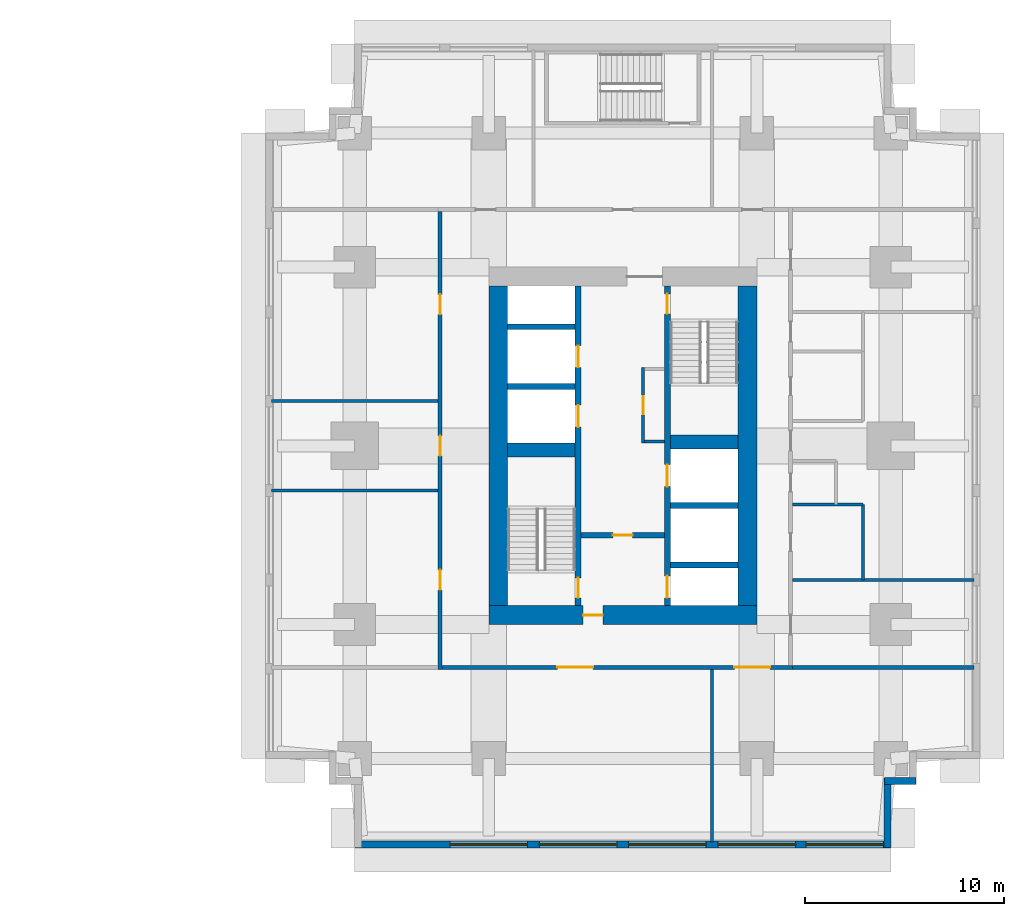
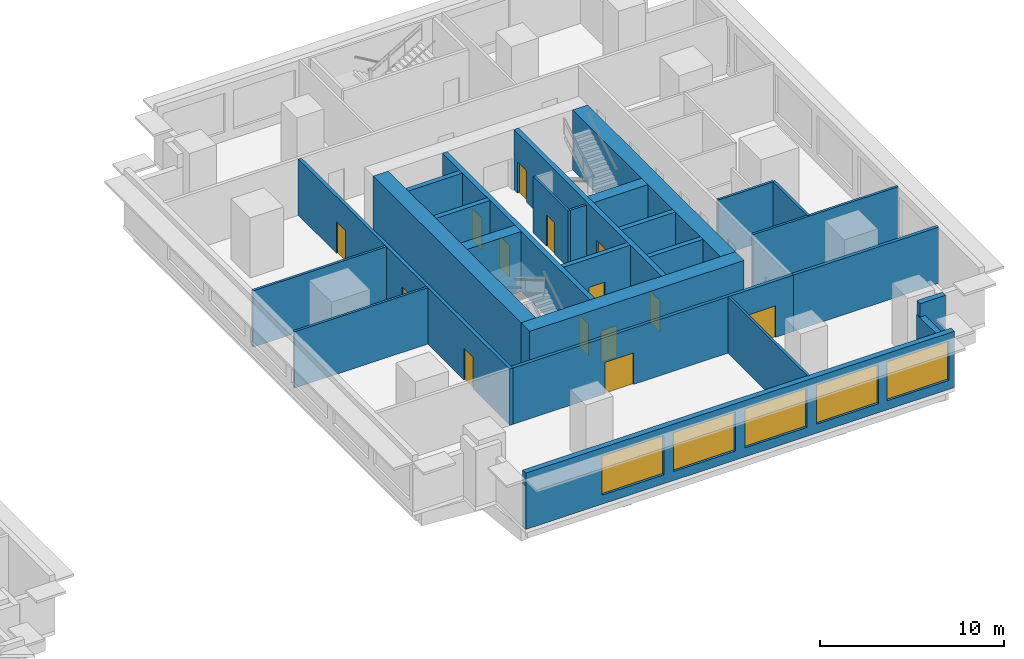
# One storey, part 6 of 11: 26 walls, 14 doors, 5 windows, 19 openings.
"""IFC4 building model written with IfcOpenShell, lengths in metres."""

from ifc_helpers import new_model, si_unit, direction, frame, frame_2d, origin, place, context, subcontext, project, spatial, rectangle, extrude, material, layer, layer_set, type_object, element, fill, save


model = new_model("IFC4")

# Units and contexts
model_context = context("Model", 3, precision=1e-05, world=origin(), true_north=direction((0.0, 1.0)))
body_context = subcontext(model_context, "Body", "Model", "MODEL_VIEW")
ifc_project = project(units=[si_unit("LENGTHUNIT", "METRE"), si_unit("AREAUNIT", "SQUARE_METRE"), si_unit("VOLUMEUNIT", "CUBIC_METRE"), si_unit("PLANEANGLEUNIT", "RADIAN"), si_unit("MASSUNIT", "GRAM", prefix="KILO")], contexts=[model_context])

# Site, building, storey
site_placement = place(None, origin())
site = spatial("IfcSite", under=ifc_project, at=site_placement, CompositionType="ELEMENT")
building_placement = place(site_placement, origin())
building = spatial("IfcBuilding", under=site, at=building_placement, Name="Namib Vertical Campus", CompositionType="ELEMENT")
storey_placement = place(building_placement, frame((0.0, 0.0, 57.0)))
storey = spatial("IfcBuildingStorey", under=building, at=storey_placement, Name="L13", CompositionType="ELEMENT", Elevation=57.0)

# Wall, openings, doors
ifc_material_1 = material(Name="Concrete C60/75", Category="concrete")
ifc_layer_1 = layer(ifc_material_1, 0.300048828125)
ifc_layer_set_1 = layer_set([ifc_layer_1], Name="Concrete C60/75")
wall_type_1 = type_object("IfcWallType", Name="Core inner wall 300", PredefinedType="SHEAR", material=ifc_layer_set_1)
wall_1_placement = place(storey_placement, frame((78.75, 12.199951171875, 0.0), z_axis=(0.0, 0.0, 1.0), x_axis=(0.0, 1.0, 0.0)))
wall_1 = element("IfcWall", 1, at=wall_1_placement, inside=storey, type_object=wall_type_1, Name="Core inner wall B L13 W1", PredefinedType="SHEAR", context=body_context, shape_type="SweptSolid", body=[
    extrude(rectangle(XDim=16.10009765625, YDim=0.300048828125, at=frame_2d((8.050048828125, 0.0))), origin(), (0.0, 0.0, 1.0), 4.0),
])
opening_1_placement = place(wall_1_placement, frame((0.39990234375, 0.0, 0.0)))
opening_1 = element("IfcOpeningElement", 2, at=opening_1_placement, cuts=wall_1, Name="Opening FD1", PredefinedType="OPENING", context=body_context, shape_type="SweptSolid", body=[
    extrude(rectangle(XDim=1.0, YDim=2.10009765625, at=frame_2d((0.5, 1.050048828125))), frame((0.0, 0.159912109375, 0.0), z_axis=(0.0, -1.0, 0.0), x_axis=(1.0, 0.0, 0.0)), (0.0, 0.0, 1.0), 0.320068359375),
])
opening_2_placement = place(wall_1_placement, frame((9.0, 0.0, 0.0)))
opening_2 = element("IfcOpeningElement", 3, at=opening_2_placement, cuts=wall_1, Name="Opening LD1", PredefinedType="OPENING", context=body_context, shape_type="SweptSolid", body=[
    extrude(rectangle(XDim=1.10009765625, YDim=2.10009765625, at=frame_2d((0.550048828125, 1.050048828125))), frame((0.0, 0.159912109375, 0.0), z_axis=(0.0, -1.0, 0.0), x_axis=(1.0, 0.0, 0.0)), (0.0, 0.0, 1.0), 0.320068359375),
])
opening_3_placement = place(wall_1_placement, frame((12.0, 0.0, 0.0)))
opening_3 = element("IfcOpeningElement", 4, at=opening_3_placement, cuts=wall_1, Name="Opening LD1", PredefinedType="OPENING", context=body_context, shape_type="SweptSolid", body=[
    extrude(rectangle(XDim=1.10009765625, YDim=2.10009765625, at=frame_2d((0.550048828125, 1.050048828125))), frame((0.0, 0.159912109375, 0.0), z_axis=(0.0, -1.0, 0.0), x_axis=(1.0, 0.0, 0.0)), (0.0, 0.0, 1.0), 0.320068359375),
])
ifc_material_2 = material(Name="Steel fire door", Category="steel")
door_type_1 = type_object("IfcDoorType", Name="Fire door 1000x2100", OperationType="SINGLE_SWING_RIGHT", PredefinedType="DOOR", material=ifc_material_2)
door_1_placement = place(opening_1_placement, origin())
door_1 = element("IfcDoor", 5, at=door_1_placement, inside=storey, type_object=door_type_1, Name="Stair door FD1 B L13 S1", OperationType="SINGLE_SWING_LEFT", OverallHeight=2.10009765625, OverallWidth=1.0, PredefinedType="DOOR", context=body_context, shape_type="SweptSolid", body=[
    extrude(rectangle(XDim=1.0, YDim=2.10009765625, at=frame_2d((0.5, 1.050048828125))), frame((0.0, 0.02490234375, 0.0), z_axis=(0.0, -1.0, 0.0), x_axis=(1.0, 0.0, 0.0)), (0.0, 0.0, 1.0), 0.050048828125),
])
fill(opening_1, door_1)
ifc_material_3 = material(Name="Stainless steel lift door", Category="steel")
door_type_2 = type_object("IfcDoorType", Name="Lift landing door 1100x2100", OperationType="DOUBLE_DOOR_SLIDING", PredefinedType="DOOR", material=ifc_material_3)
door_2_placement = place(opening_2_placement, origin())
door_2 = element("IfcDoor", 6, at=door_2_placement, inside=storey, type_object=door_type_2, Name="Lift landing door LD1 B-P1 L13", OperationType="DOUBLE_DOOR_SLIDING", OverallHeight=2.10009765625, OverallWidth=1.10009765625, PredefinedType="DOOR", context=body_context, shape_type="SweptSolid", body=[
    extrude(rectangle(XDim=1.10009765625, YDim=2.10009765625, at=frame_2d((0.550048828125, 1.050048828125))), frame((0.0, 0.02490234375, 0.0), z_axis=(0.0, -1.0, 0.0), x_axis=(1.0, 0.0, 0.0)), (0.0, 0.0, 1.0), 0.050048828125),
])
fill(opening_2, door_2)
door_3_placement = place(opening_3_placement, origin())
door_3 = element("IfcDoor", 7, at=door_3_placement, inside=storey, type_object=door_type_2, Name="Lift landing door LD1 B-P2 L13", OperationType="DOUBLE_DOOR_SLIDING", OverallHeight=2.10009765625, OverallWidth=1.10009765625, PredefinedType="DOOR", context=body_context, shape_type="SweptSolid", body=[
    extrude(rectangle(XDim=1.10009765625, YDim=2.10009765625, at=frame_2d((0.550048828125, 1.050048828125))), frame((0.0, 0.02490234375, 0.0), z_axis=(0.0, -1.0, 0.0), x_axis=(1.0, 0.0, 0.0)), (0.0, 0.0, 1.0), 0.050048828125),
])
fill(opening_3, door_3)

wall_2_placement = place(storey_placement, frame((83.25, 12.199951171875, 0.0), z_axis=(0.0, 0.0, 1.0), x_axis=(0.0, 1.0, 0.0)))
wall_2 = element("IfcWall", 8, at=wall_2_placement, inside=storey, type_object=wall_type_1, Name="Core inner wall B L13 W2", PredefinedType="SHEAR", context=body_context, shape_type="SweptSolid", body=[
    extrude(rectangle(XDim=16.10009765625, YDim=0.300048828125, at=frame_2d((8.050048828125, 0.0))), origin(), (0.0, 0.0, 1.0), 4.0),
])
opening_4_placement = place(wall_2_placement, frame((14.699951171875, 0.0, 0.0)))
opening_4 = element("IfcOpeningElement", 9, at=opening_4_placement, cuts=wall_2, Name="Opening FD1", PredefinedType="OPENING", context=body_context, shape_type="SweptSolid", body=[
    extrude(rectangle(XDim=1.0, YDim=2.10009765625, at=frame_2d((0.5, 1.050048828125))), frame((0.0, 0.159912109375, 0.0), z_axis=(0.0, -1.0, 0.0), x_axis=(1.0, 0.0, 0.0)), (0.0, 0.0, 1.0), 0.320068359375),
])
opening_5_placement = place(wall_2_placement, frame((0.39990234375, 0.0, 0.0)))
opening_5 = element("IfcOpeningElement", 10, at=opening_5_placement, cuts=wall_2, Name="Opening LD1", PredefinedType="OPENING", context=body_context, shape_type="SweptSolid", body=[
    extrude(rectangle(XDim=1.10009765625, YDim=2.10009765625, at=frame_2d((0.550048828125, 1.050048828125))), frame((0.0, 0.159912109375, 0.0), z_axis=(0.0, -1.0, 0.0), x_axis=(1.0, 0.0, 0.0)), (0.0, 0.0, 1.0), 0.320068359375),
])
opening_6_placement = place(wall_2_placement, frame((6.0, 0.0, 0.0)))
opening_6 = element("IfcOpeningElement", 11, at=opening_6_placement, cuts=wall_2, Name="Opening LD1", PredefinedType="OPENING", context=body_context, shape_type="SweptSolid", body=[
    extrude(rectangle(XDim=1.10009765625, YDim=2.10009765625, at=frame_2d((0.550048828125, 1.050048828125))), frame((0.0, 0.159912109375, 0.0), z_axis=(0.0, -1.0, 0.0), x_axis=(1.0, 0.0, 0.0)), (0.0, 0.0, 1.0), 0.320068359375),
])
door_4_placement = place(opening_4_placement, frame((1.0, 0.0, 0.0), z_axis=(0.0, 0.0, 1.0), x_axis=(-1.0, 0.0, 0.0)))
door_4 = element("IfcDoor", 12, at=door_4_placement, inside=storey, type_object=door_type_1, Name="Stair door FD1 B L13 S2", OperationType="SINGLE_SWING_LEFT", OverallHeight=2.10009765625, OverallWidth=1.0, PredefinedType="DOOR", context=body_context, shape_type="SweptSolid", body=[
    extrude(rectangle(XDim=1.0, YDim=2.10009765625, at=frame_2d((0.5, 1.050048828125))), frame((0.0, 0.02490234375, 0.0), z_axis=(0.0, -1.0, 0.0), x_axis=(1.0, 0.0, 0.0)), (0.0, 0.0, 1.0), 0.050048828125),
])
fill(opening_4, door_4)
door_5_placement = place(opening_5_placement, origin())
door_5 = element("IfcDoor", 13, at=door_5_placement, inside=storey, type_object=door_type_2, Name="Lift landing door LD1 B-FL1 L13", OperationType="DOUBLE_DOOR_SLIDING", OverallHeight=2.10009765625, OverallWidth=1.10009765625, PredefinedType="DOOR", context=body_context, shape_type="SweptSolid", body=[
    extrude(rectangle(XDim=1.10009765625, YDim=2.10009765625, at=frame_2d((0.550048828125, 1.050048828125))), frame((0.0, 0.02490234375, 0.0), z_axis=(0.0, -1.0, 0.0), x_axis=(1.0, 0.0, 0.0)), (0.0, 0.0, 1.0), 0.050048828125),
])
fill(opening_5, door_5)
door_6_placement = place(opening_6_placement, origin())
door_6 = element("IfcDoor", 14, at=door_6_placement, inside=storey, type_object=door_type_2, Name="Lift landing door LD1 B-P5 L13", OperationType="DOUBLE_DOOR_SLIDING", OverallHeight=2.10009765625, OverallWidth=1.10009765625, PredefinedType="DOOR", context=body_context, shape_type="SweptSolid", body=[
    extrude(rectangle(XDim=1.10009765625, YDim=2.10009765625, at=frame_2d((0.550048828125, 1.050048828125))), frame((0.0, 0.02490234375, 0.0), z_axis=(0.0, -1.0, 0.0), x_axis=(1.0, 0.0, 0.0)), (0.0, 0.0, 1.0), 0.050048828125),
])
fill(opening_6, door_6)

# Wall, opening, door
wall_3_placement = place(storey_placement, frame((78.89990234375, 15.75, 0.0), z_axis=(0.0, 0.0, 1.0), x_axis=(1.0, 0.0, 0.0)))
wall_3 = element("IfcWall", 15, at=wall_3_placement, inside=storey, type_object=wall_type_1, Name="Core inner wall B L13 W4", PredefinedType="SHEAR", context=body_context, shape_type="SweptSolid", body=[
    extrude(rectangle(XDim=4.2001953125, YDim=0.300048828125, at=frame_2d((2.10009765625, 0.0))), origin(), (0.0, 0.0, 1.0), 4.0),
])
opening_7_placement = place(wall_3_placement, frame((1.60009765625, 0.0, 0.0)))
opening_7 = element("IfcOpeningElement", 16, at=opening_7_placement, cuts=wall_3, Name="Opening FD5", PredefinedType="OPENING", context=body_context, shape_type="SweptSolid", body=[
    extrude(rectangle(XDim=1.0, YDim=2.10009765625, at=frame_2d((0.5, 1.050048828125))), frame((0.0, 0.159912109375, 0.0), z_axis=(0.0, -1.0, 0.0), x_axis=(1.0, 0.0, 0.0)), (0.0, 0.0, 1.0), 0.320068359375),
])
ifc_material_4 = material(Name="Steel fire door", Category="steel")
door_type_3 = type_object("IfcDoorType", Name="Fire door 1000x2100 120 min", OperationType="SINGLE_SWING_RIGHT", PredefinedType="DOOR", material=ifc_material_4)
door_7_placement = place(opening_7_placement, frame((1.0, 0.0, 0.0), z_axis=(0.0, 0.0, 1.0), x_axis=(-1.0, 0.0, 0.0)))
door_7 = element("IfcDoor", 17, at=door_7_placement, inside=storey, type_object=door_type_3, Name="Lobby door FD5 B L13", OperationType="SINGLE_SWING_RIGHT", OverallHeight=2.10009765625, OverallWidth=1.0, PredefinedType="DOOR", context=body_context, shape_type="SweptSolid", body=[
    extrude(rectangle(XDim=1.0, YDim=2.10009765625, at=frame_2d((0.5, 1.050048828125))), frame((0.0, 0.02490234375, 0.0), z_axis=(0.0, -1.0, 0.0), x_axis=(1.0, 0.0, 0.0)), (0.0, 0.0, 1.0), 0.050048828125),
])
fill(opening_7, door_7)

# Walls
for number, where, z_axis, x_axis, name in (
    (18, (83.39990234375, 14.25, 0.0), (0.0, 0.0, 1.0), (1.0, 0.0, 0.0), "Core inner wall B L13 W5"),
    (19, (83.39990234375, 17.25, 0.0), (0.0, 0.0, 1.0), (1.0, 0.0, 0.0), "Core inner wall B L13 W6"),
    (20, (75.199951171875, 23.25, 0.0), (0.0, 0.0, 1.0), (1.0, 0.0, 0.0), "Core inner wall B L13 W8"),
    (21, (75.199951171875, 26.25, 0.0), (0.0, 0.0, 1.0), (1.0, 0.0, 0.0), "Core inner wall B L13 W9"),
):
    element("IfcWall", number, at=place(storey_placement, frame(where, z_axis=z_axis, x_axis=x_axis)), inside=storey, type_object=wall_type_1, Name=name, PredefinedType="SHEAR", context=body_context, shape_type="SweptSolid", body=[
        extrude(rectangle(XDim=3.400146484375, YDim=0.300048828125, at=frame_2d((1.7001953125, 0.0))), origin(), (0.0, 0.0, 1.0), 4.0),
    ])
ifc_material_5 = material(Name="Concrete C60/75", Category="concrete")
ifc_layer_2 = layer(ifc_material_5, 0.699951171875)
ifc_layer_set_2 = layer_set([ifc_layer_2], Name="Concrete C60/75")
wall_type_2 = type_object("IfcWallType", Name="Core shear wall 700", PredefinedType="SHEAR", material=ifc_layer_set_2)
for number, where, z_axis, x_axis, name in (
    (22, (75.199951171875, 20.050048828125, 0.0), (0.0, 0.0, 1.0), (1.0, 0.0, 0.0), "Core shear wall B L13 W3"),
    (23, (83.39990234375, 20.449951171875, 0.0), (0.0, 0.0, 1.0), (1.0, 0.0, 0.0), "Core shear wall B L13 W7"),
):
    element("IfcWall", number, at=place(storey_placement, frame(where, z_axis=z_axis, x_axis=x_axis)), inside=storey, type_object=wall_type_2, Name=name, PredefinedType="SHEAR", context=body_context, shape_type="SweptSolid", body=[
        extrude(rectangle(XDim=3.400146484375, YDim=0.699951171875, at=frame_2d((1.7001953125, 0.0))), origin(), (0.0, 0.0, 1.0), 4.0),
    ])

# Wall, opening, door
ifc_material_6 = material(Name="Concrete C60/75", Category="concrete")
ifc_layer_3 = layer(ifc_material_6, 0.949951171875)
ifc_layer_set_3 = layer_set([ifc_layer_3], Name="Concrete C60/75")
wall_type_3 = type_object("IfcWallType", Name="Core wall 950", PredefinedType="SHEAR", material=ifc_layer_set_3)
wall_4_placement = place(storey_placement, frame((74.25, 11.72509765625, 0.0), z_axis=(0.0, 0.0, 1.0), x_axis=(1.0, 0.0, 0.0)))
wall_4 = element("IfcWall", 24, at=wall_4_placement, inside=storey, type_object=wall_type_3, Name="Core wall B L13 1", PredefinedType="SHEAR", context=body_context, shape_type="SweptSolid", body=[
    extrude(rectangle(XDim=13.5, YDim=0.949951171875, at=frame_2d((6.75, 0.0))), origin(), (0.0, 0.0, 1.0), 4.0),
])
opening_8_placement = place(wall_4_placement, frame((4.75, 0.0, 0.0)))
opening_8 = element("IfcOpeningElement", 25, at=opening_8_placement, cuts=wall_4, Name="Opening FD5", PredefinedType="OPENING", context=body_context, shape_type="SweptSolid", body=[
    extrude(rectangle(XDim=1.0, YDim=2.10009765625, at=frame_2d((0.5, 1.050048828125))), frame((0.0, 0.48486328125, 0.0), z_axis=(0.0, -1.0, 0.0), x_axis=(1.0, 0.0, 0.0)), (0.0, 0.0, 1.0), 0.969970703125),
])
door_8_placement = place(opening_8_placement, origin())
door_8 = element("IfcDoor", 26, at=door_8_placement, inside=storey, type_object=door_type_3, Name="Firefighting lobby door FD5 B L13", OperationType="SINGLE_SWING_LEFT", OverallHeight=2.10009765625, OverallWidth=1.0, PredefinedType="DOOR", context=body_context, shape_type="SweptSolid", body=[
    extrude(rectangle(XDim=1.0, YDim=2.10009765625, at=frame_2d((0.5, 1.050048828125))), frame((0.0, 0.02490234375, 0.0), z_axis=(0.0, -1.0, 0.0), x_axis=(1.0, 0.0, 0.0)), (0.0, 0.0, 1.0), 0.050048828125),
])
fill(opening_8, door_8)

# Walls
for number, where, z_axis, x_axis, name in (
    (27, (87.27490234375, 12.199951171875, 0.0), (0.0, 0.0, 1.0), (0.0, 1.0, 0.0), "Core wall B L13 2"),
    (28, (74.72509765625, 28.300048828125, 0.0), (0.0, 0.0, 1.0), (0.0, -1.0, 0.0), "Core wall B L13 4"),
):
    element("IfcWall", number, at=place(storey_placement, frame(where, z_axis=z_axis, x_axis=x_axis)), inside=storey, type_object=wall_type_3, Name=name, PredefinedType="SHEAR", context=body_context, shape_type="SweptSolid", body=[
        extrude(rectangle(XDim=16.10009765625, YDim=0.949951171875, at=frame_2d((8.050048828125, 0.0))), origin(), (0.0, 0.0, 1.0), 4.0),
    ])

# Wall, openings, doors
ifc_material_7 = material(Name="Concrete masonry", Category="masonry")
ifc_layer_4 = layer(ifc_material_7, 0.199951171875)
ifc_layer_set_4 = layer_set([ifc_layer_4], Name="Corridor wall 200")
wall_type_4 = type_object("IfcWallType", Name="Corridor wall 200", PredefinedType="SOLIDWALL", material=ifc_layer_set_4)
wall_5_placement = place(storey_placement, frame((71.89990234375, 9.10009765625, 0.0), z_axis=(0.0, 0.0, 1.0), x_axis=(1.0, 0.0, 0.0)))
wall_5 = element("IfcWall", 29, at=wall_5_placement, inside=storey, type_object=wall_type_4, Name="Corridor wall B L13 CS", PredefinedType="SOLIDWALL", context=body_context, shape_type="SweptSolid", body=[
    extrude(rectangle(XDim=17.650146484375, YDim=0.199951171875, at=frame_2d((8.8251953125, 0.0))), origin(), (0.0, 0.0, 1.0), 3.75),
])
opening_9_placement = place(wall_5_placement, frame((5.800048828125, 0.0, 0.0)))
opening_9 = element("IfcOpeningElement", 30, at=opening_9_placement, cuts=wall_5, Name="Opening CD2", PredefinedType="OPENING", context=body_context, shape_type="SweptSolid", body=[
    extrude(rectangle(XDim=1.800048828125, YDim=2.10009765625, at=frame_2d((0.89990234375, 1.050048828125))), frame((0.0, 0.10986328125, 0.0), z_axis=(0.0, -1.0, 0.0), x_axis=(1.0, 0.0, 0.0)), (0.0, 0.0, 1.0), 0.219970703125),
])
opening_10_placement = place(wall_5_placement, frame((14.72509765625, 0.0, 0.0)))
opening_10 = element("IfcOpeningElement", 31, at=opening_10_placement, cuts=wall_5, Name="Opening CD2", PredefinedType="OPENING", context=body_context, shape_type="SweptSolid", body=[
    extrude(rectangle(XDim=1.800048828125, YDim=2.10009765625, at=frame_2d((0.89990234375, 1.050048828125))), frame((0.0, 0.10986328125, 0.0), z_axis=(0.0, -1.0, 0.0), x_axis=(1.0, 0.0, 0.0)), (0.0, 0.0, 1.0), 0.219970703125),
])
ifc_material_8 = material(Name="Timber fire door leaf", Category="wood")
door_type_4 = type_object("IfcDoorType", Name="Corridor door double 1800x2100 20 min", OperationType="DOUBLE_DOOR_SINGLE_SWING", PredefinedType="DOOR", material=ifc_material_8)
door_9_placement = place(opening_9_placement, frame((1.800048828125, 0.0, 0.0), z_axis=(0.0, 0.0, 1.0), x_axis=(-1.0, 0.0, 0.0)))
door_9 = element("IfcDoor", 32, at=door_9_placement, inside=storey, type_object=door_type_4, Name="Door CD2 B13-01", OperationType="DOUBLE_DOOR_SINGLE_SWING", OverallHeight=2.10009765625, OverallWidth=1.800048828125, PredefinedType="DOOR", context=body_context, shape_type="SweptSolid", body=[
    extrude(rectangle(XDim=1.800048828125, YDim=2.10009765625, at=frame_2d((0.89990234375, 1.050048828125))), frame((0.0, 0.02490234375, 0.0), z_axis=(0.0, -1.0, 0.0), x_axis=(1.0, 0.0, 0.0)), (0.0, 0.0, 1.0), 0.050048828125),
])
fill(opening_9, door_9)
door_10_placement = place(opening_10_placement, frame((1.800048828125, 0.0, 0.0), z_axis=(0.0, 0.0, 1.0), x_axis=(-1.0, 0.0, 0.0)))
door_10 = element("IfcDoor", 33, at=door_10_placement, inside=storey, type_object=door_type_4, Name="Door CD2 B13-02", OperationType="DOUBLE_DOOR_SINGLE_SWING", OverallHeight=2.10009765625, OverallWidth=1.800048828125, PredefinedType="DOOR", context=body_context, shape_type="SweptSolid", body=[
    extrude(rectangle(XDim=1.800048828125, YDim=2.10009765625, at=frame_2d((0.89990234375, 1.050048828125))), frame((0.0, 0.02490234375, 0.0), z_axis=(0.0, -1.0, 0.0), x_axis=(1.0, 0.0, 0.0)), (0.0, 0.0, 1.0), 0.050048828125),
])
fill(opening_10, door_10)

wall_6_placement = place(storey_placement, frame((71.800048828125, 32.050048828125, 0.0), z_axis=(0.0, 0.0, 1.0), x_axis=(0.0, -1.0, 0.0)))
wall_6 = element("IfcWall", 34, at=wall_6_placement, inside=storey, type_object=wall_type_4, Name="Corridor wall B L13 CW", PredefinedType="SOLIDWALL", context=body_context, shape_type="SweptSolid", body=[
    extrude(rectangle(XDim=23.050048828125, YDim=0.199951171875, at=frame_2d((11.52490234375, 0.0))), origin(), (0.0, 0.0, 1.0), 3.75),
])
opening_11_placement = place(wall_6_placement, frame((18.050048828125, 0.0, 0.0)))
opening_11 = element("IfcOpeningElement", 35, at=opening_11_placement, cuts=wall_6, Name="Opening CD1", PredefinedType="OPENING", context=body_context, shape_type="SweptSolid", body=[
    extrude(rectangle(XDim=1.0, YDim=2.10009765625, at=frame_2d((0.5, 1.050048828125))), frame((0.0, 0.10986328125, 0.0), z_axis=(0.0, -1.0, 0.0), x_axis=(1.0, 0.0, 0.0)), (0.0, 0.0, 1.0), 0.219970703125),
])
opening_12_placement = place(wall_6_placement, frame((11.300048828125, 0.0, 0.0)))
opening_12 = element("IfcOpeningElement", 36, at=opening_12_placement, cuts=wall_6, Name="Opening CD1", PredefinedType="OPENING", context=body_context, shape_type="SweptSolid", body=[
    extrude(rectangle(XDim=1.0, YDim=2.10009765625, at=frame_2d((0.5, 1.050048828125))), frame((0.0, 0.10986328125, 0.0), z_axis=(0.0, -1.0, 0.0), x_axis=(1.0, 0.0, 0.0)), (0.0, 0.0, 1.0), 0.219970703125),
])
opening_13_placement = place(wall_6_placement, frame((4.175048828125, 0.0, 0.0)))
opening_13 = element("IfcOpeningElement", 37, at=opening_13_placement, cuts=wall_6, Name="Opening CD1", PredefinedType="OPENING", context=body_context, shape_type="SweptSolid", body=[
    extrude(rectangle(XDim=1.0, YDim=2.10009765625, at=frame_2d((0.5, 1.050048828125))), frame((0.0, 0.10986328125, 0.0), z_axis=(0.0, -1.0, 0.0), x_axis=(1.0, 0.0, 0.0)), (0.0, 0.0, 1.0), 0.219970703125),
])
ifc_material_9 = material(Name="Timber fire door leaf", Category="wood")
door_type_5 = type_object("IfcDoorType", Name="Corridor door 1000x2100 20 min", OperationType="SINGLE_SWING_LEFT", PredefinedType="DOOR", material=ifc_material_9)
door_11_placement = place(opening_11_placement, frame((1.0, 0.0, 0.0), z_axis=(0.0, 0.0, 1.0), x_axis=(-1.0, 0.0, 0.0)))
door_11 = element("IfcDoor", 38, at=door_11_placement, inside=storey, type_object=door_type_5, Name="Door CD1 B13-13", OperationType="SINGLE_SWING_RIGHT", OverallHeight=2.10009765625, OverallWidth=1.0, PredefinedType="DOOR", context=body_context, shape_type="SweptSolid", body=[
    extrude(rectangle(XDim=1.0, YDim=2.10009765625, at=frame_2d((0.5, 1.050048828125))), frame((0.0, 0.02490234375, 0.0), z_axis=(0.0, -1.0, 0.0), x_axis=(1.0, 0.0, 0.0)), (0.0, 0.0, 1.0), 0.050048828125),
])
fill(opening_11, door_11)
door_12_placement = place(opening_12_placement, frame((1.0, 0.0, 0.0), z_axis=(0.0, 0.0, 1.0), x_axis=(-1.0, 0.0, 0.0)))
door_12 = element("IfcDoor", 39, at=door_12_placement, inside=storey, type_object=door_type_5, Name="Door CD1 B13-14", OperationType="SINGLE_SWING_RIGHT", OverallHeight=2.10009765625, OverallWidth=1.0, PredefinedType="DOOR", context=body_context, shape_type="SweptSolid", body=[
    extrude(rectangle(XDim=1.0, YDim=2.10009765625, at=frame_2d((0.5, 1.050048828125))), frame((0.0, 0.02490234375, 0.0), z_axis=(0.0, -1.0, 0.0), x_axis=(1.0, 0.0, 0.0)), (0.0, 0.0, 1.0), 0.050048828125),
])
fill(opening_12, door_12)
door_13_placement = place(opening_13_placement, frame((1.0, 0.0, 0.0), z_axis=(0.0, 0.0, 1.0), x_axis=(-1.0, 0.0, 0.0)))
door_13 = element("IfcDoor", 40, at=door_13_placement, inside=storey, type_object=door_type_5, Name="Door CD1 B13-15", OperationType="SINGLE_SWING_RIGHT", OverallHeight=2.10009765625, OverallWidth=1.0, PredefinedType="DOOR", context=body_context, shape_type="SweptSolid", body=[
    extrude(rectangle(XDim=1.0, YDim=2.10009765625, at=frame_2d((0.5, 1.050048828125))), frame((0.0, 0.02490234375, 0.0), z_axis=(0.0, -1.0, 0.0), x_axis=(1.0, 0.0, 0.0)), (0.0, 0.0, 1.0), 0.050048828125),
])
fill(opening_13, door_13)

# Wall
wall_7_placement = place(storey_placement, frame((89.550048828125, 9.10009765625, 0.0), z_axis=(0.0, 0.0, 1.0), x_axis=(1.0, 0.0, 0.0)))
element("IfcWall", 41, at=wall_7_placement, inside=storey, type_object=wall_type_4, Name="Partition B L13 BSE", PredefinedType="SOLIDWALL", context=body_context, shape_type="SweptSolid", body=[
    extrude(rectangle(XDim=9.14990234375, YDim=0.199951171875, at=frame_2d((4.574951171875, 0.0))), origin(), (0.0, 0.0, 1.0), 3.75),
])

# Wall, openings, windows
ifc_material_10 = material(Name="Concrete C40/50", Category="concrete")
ifc_layer_5 = layer(ifc_material_10, 0.35009765625)
ifc_layer_set_5 = layer_set([ifc_layer_5], Name="Concrete C40/50")
wall_type_5 = type_object("IfcWallType", Name="External wall 350 bush-hammered concrete", PredefinedType="STANDARD", material=ifc_layer_set_5)
wall_8_placement = place(storey_placement, frame((67.52001953125, 0.175048828125, 0.0), z_axis=(0.0, 0.0, 1.0), x_axis=(1.0, 0.0, 0.0)))
wall_8 = element("IfcWall", 42, at=wall_8_placement, inside=storey, type_object=wall_type_5, Name="External wall L13 F01", PredefinedType="STANDARD", context=body_context, shape_type="SweptSolid", body=[
    extrude(rectangle(XDim=26.9599609375, YDim=0.35009765625, at=frame_2d((13.47998046875, 0.0))), origin(), (0.0, 0.0, 1.0), 3.75),
])
opening_14_placement = place(wall_8_placement, frame((4.780029296875, 0.0, 0.60009765625)))
opening_14 = element("IfcOpeningElement", 43, at=opening_14_placement, cuts=wall_8, Name="Opening W2", PredefinedType="OPENING", context=body_context, shape_type="SweptSolid", body=[
    extrude(rectangle(XDim=3.89990234375, YDim=2.60009765625, at=frame_2d((1.949951171875, 1.300048828125))), frame((0.0, 0.18505859375, 0.0), z_axis=(0.0, -1.0, 0.0), x_axis=(1.0, 0.0, 0.0)), (0.0, 0.0, 1.0), 0.3701171875),
])
opening_15_placement = place(wall_8_placement, frame((9.280029296875, 0.0, 0.60009765625)))
opening_15 = element("IfcOpeningElement", 44, at=opening_15_placement, cuts=wall_8, Name="Opening W2", PredefinedType="OPENING", context=body_context, shape_type="SweptSolid", body=[
    extrude(rectangle(XDim=3.89990234375, YDim=2.60009765625, at=frame_2d((1.949951171875, 1.300048828125))), frame((0.0, 0.18505859375, 0.0), z_axis=(0.0, -1.0, 0.0), x_axis=(1.0, 0.0, 0.0)), (0.0, 0.0, 1.0), 0.3701171875),
])
opening_16_placement = place(wall_8_placement, frame((13.780029296875, 0.0, 0.60009765625)))
opening_16 = element("IfcOpeningElement", 45, at=opening_16_placement, cuts=wall_8, Name="Opening W2", PredefinedType="OPENING", context=body_context, shape_type="SweptSolid", body=[
    extrude(rectangle(XDim=3.89990234375, YDim=2.60009765625, at=frame_2d((1.949951171875, 1.300048828125))), frame((0.0, 0.18505859375, 0.0), z_axis=(0.0, -1.0, 0.0), x_axis=(1.0, 0.0, 0.0)), (0.0, 0.0, 1.0), 0.3701171875),
])
opening_17_placement = place(wall_8_placement, frame((18.280029296875, 0.0, 0.60009765625)))
opening_17 = element("IfcOpeningElement", 46, at=opening_17_placement, cuts=wall_8, Name="Opening W2", PredefinedType="OPENING", context=body_context, shape_type="SweptSolid", body=[
    extrude(rectangle(XDim=3.89990234375, YDim=2.60009765625, at=frame_2d((1.949951171875, 1.300048828125))), frame((0.0, 0.18505859375, 0.0), z_axis=(0.0, -1.0, 0.0), x_axis=(1.0, 0.0, 0.0)), (0.0, 0.0, 1.0), 0.3701171875),
])
opening_18_placement = place(wall_8_placement, frame((22.7099609375, 0.0, 0.60009765625)))
opening_18 = element("IfcOpeningElement", 47, at=opening_18_placement, cuts=wall_8, Name="Opening W2", PredefinedType="OPENING", context=body_context, shape_type="SweptSolid", body=[
    extrude(rectangle(XDim=3.89990234375, YDim=2.60009765625, at=frame_2d((1.949951171875, 1.300048828125))), frame((0.0, 0.18505859375, 0.0), z_axis=(0.0, -1.0, 0.0), x_axis=(1.0, 0.0, 0.0)), (0.0, 0.0, 1.0), 0.3701171875),
])
ifc_material_11 = material(Name="Dark tinted glass in black aluminium frame", Category="aluminium")
window_type = type_object("IfcWindowType", Name="Ribbon window 3900x2600", PartitioningType="SINGLE_PANEL", PredefinedType="WINDOW", material=ifc_material_11)
window_1_placement = place(opening_14_placement, origin())
window_1 = element("IfcWindow", 48, at=window_1_placement, inside=storey, type_object=window_type, Name="Window W2 L13 F01-2", OverallHeight=2.60009765625, OverallWidth=3.89990234375, PartitioningType="SINGLE_PANEL", PredefinedType="WINDOW", context=body_context, shape_type="SweptSolid", body=[
    extrude(rectangle(XDim=3.89990234375, YDim=2.60009765625, at=frame_2d((1.949951171875, 1.300048828125))), frame((0.0, 0.030029296875, 0.0), z_axis=(0.0, -1.0, 0.0), x_axis=(1.0, 0.0, 0.0)), (0.0, 0.0, 1.0), 0.06005859375),
])
fill(opening_14, window_1)
window_2_placement = place(opening_15_placement, origin())
window_2 = element("IfcWindow", 49, at=window_2_placement, inside=storey, type_object=window_type, Name="Window W2 L13 F01-3", OverallHeight=2.60009765625, OverallWidth=3.89990234375, PartitioningType="SINGLE_PANEL", PredefinedType="WINDOW", context=body_context, shape_type="SweptSolid", body=[
    extrude(rectangle(XDim=3.89990234375, YDim=2.60009765625, at=frame_2d((1.949951171875, 1.300048828125))), frame((0.0, 0.030029296875, 0.0), z_axis=(0.0, -1.0, 0.0), x_axis=(1.0, 0.0, 0.0)), (0.0, 0.0, 1.0), 0.06005859375),
])
fill(opening_15, window_2)
window_3_placement = place(opening_16_placement, origin())
window_3 = element("IfcWindow", 50, at=window_3_placement, inside=storey, type_object=window_type, Name="Window W2 L13 F01-4", OverallHeight=2.60009765625, OverallWidth=3.89990234375, PartitioningType="SINGLE_PANEL", PredefinedType="WINDOW", context=body_context, shape_type="SweptSolid", body=[
    extrude(rectangle(XDim=3.89990234375, YDim=2.60009765625, at=frame_2d((1.949951171875, 1.300048828125))), frame((0.0, 0.030029296875, 0.0), z_axis=(0.0, -1.0, 0.0), x_axis=(1.0, 0.0, 0.0)), (0.0, 0.0, 1.0), 0.06005859375),
])
fill(opening_16, window_3)
window_4_placement = place(opening_17_placement, origin())
window_4 = element("IfcWindow", 51, at=window_4_placement, inside=storey, type_object=window_type, Name="Window W2 L13 F01-5", OverallHeight=2.60009765625, OverallWidth=3.89990234375, PartitioningType="SINGLE_PANEL", PredefinedType="WINDOW", context=body_context, shape_type="SweptSolid", body=[
    extrude(rectangle(XDim=3.89990234375, YDim=2.60009765625, at=frame_2d((1.949951171875, 1.300048828125))), frame((0.0, 0.030029296875, 0.0), z_axis=(0.0, -1.0, 0.0), x_axis=(1.0, 0.0, 0.0)), (0.0, 0.0, 1.0), 0.06005859375),
])
fill(opening_17, window_4)
window_5_placement = place(opening_18_placement, origin())
window_5 = element("IfcWindow", 52, at=window_5_placement, inside=storey, type_object=window_type, Name="Window W2 L13 F01-6", OverallHeight=2.60009765625, OverallWidth=3.89990234375, PartitioningType="SINGLE_PANEL", PredefinedType="WINDOW", context=body_context, shape_type="SweptSolid", body=[
    extrude(rectangle(XDim=3.89990234375, YDim=2.60009765625, at=frame_2d((1.949951171875, 1.300048828125))), frame((0.0, 0.030029296875, 0.0), z_axis=(0.0, -1.0, 0.0), x_axis=(1.0, 0.0, 0.0)), (0.0, 0.0, 1.0), 0.06005859375),
])
fill(opening_18, window_5)

# Walls
wall_9_placement = place(storey_placement, frame((94.324951171875, 0.02001953125, 0.0), z_axis=(0.0, 0.0, 1.0), x_axis=(0.0, 1.0, 0.0)))
element("IfcWall", 53, at=wall_9_placement, inside=storey, type_object=wall_type_5, Name="External wall L13 F02", PredefinedType="STANDARD", context=body_context, shape_type="SweptSolid", body=[
    extrude(rectangle(XDim=3.510009765625, YDim=0.35009765625, at=frame_2d((1.7548828125, 0.0))), origin(), (0.0, 0.0, 1.0), 2.85009765625),
])
wall_10_placement = place(storey_placement, frame((94.169921875, 3.375, 0.0), z_axis=(0.0, 0.0, 1.0), x_axis=(1.0, 0.0, 0.0)))
element("IfcWall", 54, at=wall_10_placement, inside=storey, type_object=wall_type_5, Name="External wall L13 F03", PredefinedType="STANDARD", context=body_context, shape_type="SweptSolid", body=[
    extrude(rectangle(XDim=1.610107421875, YDim=0.35009765625, at=frame_2d((0.80517578125, 0.0))), origin(), (0.0, 0.0, 1.0), 3.75),
])

# Wall, opening, door
ifc_material_12 = material(Name="Gypsum board on steel studs", Category="steel")
ifc_layer_6 = layer(ifc_material_12, 0.14990234375)
ifc_layer_set_6 = layer_set([ifc_layer_6], Name="Gypsum board on steel studs")
wall_type_6 = type_object("IfcWallType", Name="Partition 150", PredefinedType="PARTITIONING", material=ifc_layer_set_6)
wall_11_placement = place(storey_placement, frame((82.02490234375, 20.39990234375, 0.0), z_axis=(0.0, 0.0, 1.0), x_axis=(0.0, 1.0, 0.0)))
wall_11 = element("IfcWall", 55, at=wall_11_placement, inside=storey, type_object=wall_type_6, Name="Partition B L13 Linen store front", PredefinedType="PARTITIONING", context=body_context, shape_type="SweptSolid", body=[
    extrude(rectangle(XDim=3.800048828125, YDim=0.14990234375, at=frame_2d((1.89990234375, 0.0))), origin(), (0.0, 0.0, 1.0), 3.75),
])
opening_19_placement = place(wall_11_placement, frame((1.449951171875, 0.0, 0.0)))
opening_19 = element("IfcOpeningElement", 56, at=opening_19_placement, cuts=wall_11, Name="Opening D3", PredefinedType="OPENING", context=body_context, shape_type="SweptSolid", body=[
    extrude(rectangle(XDim=0.89990234375, YDim=2.10009765625, at=frame_2d((0.449951171875, 1.050048828125))), frame((0.0, 0.0849609375, 0.0), z_axis=(0.0, -1.0, 0.0), x_axis=(1.0, 0.0, 0.0)), (0.0, 0.0, 1.0), 0.169921875),
])
ifc_material_13 = material(Name="Timber door leaf", Category="wood")
door_type_6 = type_object("IfcDoorType", Name="Toilet door 900x2100", OperationType="SINGLE_SWING_LEFT", PredefinedType="DOOR", material=ifc_material_13)
door_14_placement = place(opening_19_placement, frame((0.89990234375, 0.0, 0.0), z_axis=(0.0, 0.0, 1.0), x_axis=(-1.0, 0.0, 0.0)))
door_14 = element("IfcDoor", 57, at=door_14_placement, inside=storey, type_object=door_type_6, Name="Door D3 Linen store B L13", OperationType="SINGLE_SWING_RIGHT", OverallHeight=2.10009765625, OverallWidth=0.89990234375, PredefinedType="DOOR", context=body_context, shape_type="SweptSolid", body=[
    extrude(rectangle(XDim=0.89990234375, YDim=2.10009765625, at=frame_2d((0.449951171875, 1.050048828125))), frame((0.0, 0.02490234375, 0.0), z_axis=(0.0, -1.0, 0.0), x_axis=(1.0, 0.0, 0.0)), (0.0, 0.0, 1.0), 0.050048828125),
])
fill(opening_19, door_14)

# Walls
wall_12_placement = place(storey_placement, frame((82.10009765625, 20.47509765625, 0.0), z_axis=(0.0, 0.0, 1.0), x_axis=(1.0, 0.0, 0.0)))
element("IfcWall", 58, at=wall_12_placement, inside=storey, type_object=wall_type_6, Name="Partition B L13 Linen store end 1", PredefinedType="PARTITIONING", context=body_context, shape_type="SweptSolid", body=[
    extrude(rectangle(XDim=1.0, YDim=0.14990234375, at=frame_2d((0.5, 0.0))), origin(), (0.0, 0.0, 1.0), 3.75),
])
wall_13_placement = place(storey_placement, frame((85.5, 0.300048828125, 0.0), z_axis=(0.0, 0.0, 1.0), x_axis=(0.0, 1.0, 0.0)))
element("IfcWall", 59, at=wall_13_placement, inside=storey, type_object=wall_type_6, Name="Partition B L13 PS1", PredefinedType="PARTITIONING", context=body_context, shape_type="SweptSolid", body=[
    extrude(rectangle(XDim=8.699951171875, YDim=0.14990234375, at=frame_2d((4.35009765625, 0.0))), origin(), (0.0, 0.0, 1.0), 3.75),
])
wall_14_placement = place(storey_placement, frame((89.550048828125, 13.5, 0.0), z_axis=(0.0, 0.0, 1.0), x_axis=(1.0, 0.0, 0.0)))
element("IfcWall", 60, at=wall_14_placement, inside=storey, type_object=wall_type_6, Name="Partition B L13 PE1", PredefinedType="PARTITIONING", context=body_context, shape_type="SweptSolid", body=[
    extrude(rectangle(XDim=9.14990234375, YDim=0.14990234375, at=frame_2d((4.574951171875, 0.0))), origin(), (0.0, 0.0, 1.0), 3.75),
])
for number, where, z_axis, x_axis, name in (
    (61, (63.300048828125, 18.0, 0.0), (0.0, 0.0, 1.0), (1.0, 0.0, 0.0), "Partition B L13 PW1"),
    (62, (63.300048828125, 22.5, 0.0), (0.0, 0.0, 1.0), (1.0, 0.0, 0.0), "Partition B L13 PW2"),
):
    element("IfcWall", number, at=place(storey_placement, frame(where, z_axis=z_axis, x_axis=x_axis)), inside=storey, type_object=wall_type_6, Name=name, PredefinedType="PARTITIONING", context=body_context, shape_type="SweptSolid", body=[
        extrude(rectangle(XDim=8.39990234375, YDim=0.14990234375, at=frame_2d((4.199951171875, 0.0))), origin(), (0.0, 0.0, 1.0), 3.75),
    ])
wall_15_placement = place(storey_placement, frame((89.550048828125, 17.300048828125, 0.0), z_axis=(0.0, 0.0, 1.0), x_axis=(1.0, 0.0, 0.0)))
element("IfcWall", 63, at=wall_15_placement, inside=storey, type_object=wall_type_6, Name="Partition B L13 WR1", PredefinedType="PARTITIONING", context=body_context, shape_type="SweptSolid", body=[
    extrude(rectangle(XDim=3.550048828125, YDim=0.14990234375, at=frame_2d((1.77490234375, 0.0))), origin(), (0.0, 0.0, 1.0), 3.75),
])
wall_16_placement = place(storey_placement, frame((93.10009765625, 13.5, 0.0), z_axis=(0.0, 0.0, 1.0), x_axis=(0.0, 1.0, 0.0)))
element("IfcWall", 64, at=wall_16_placement, inside=storey, type_object=wall_type_6, Name="Partition B L13 WB1", PredefinedType="PARTITIONING", context=body_context, shape_type="SweptSolid", body=[
    extrude(rectangle(XDim=3.800048828125, YDim=0.14990234375, at=frame_2d((1.89990234375, 0.0))), origin(), (0.0, 0.0, 1.0), 3.75),
])

save(model, "model.ifc")
